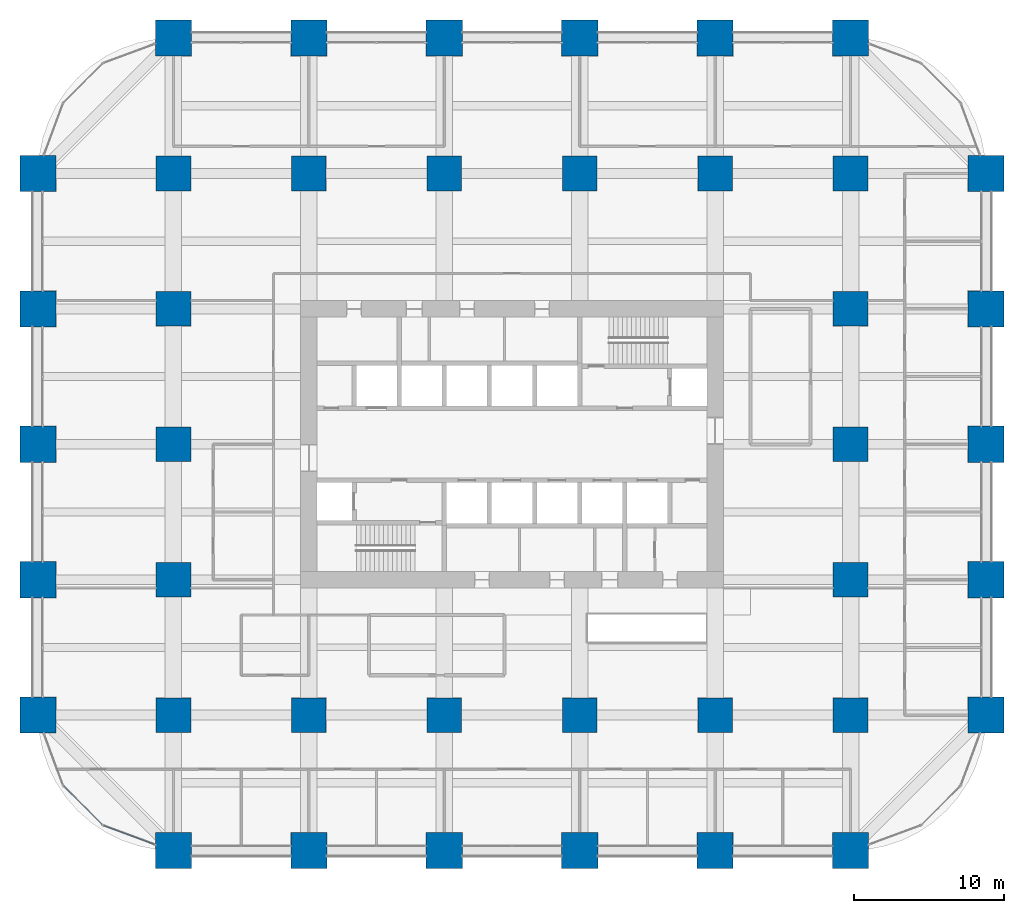
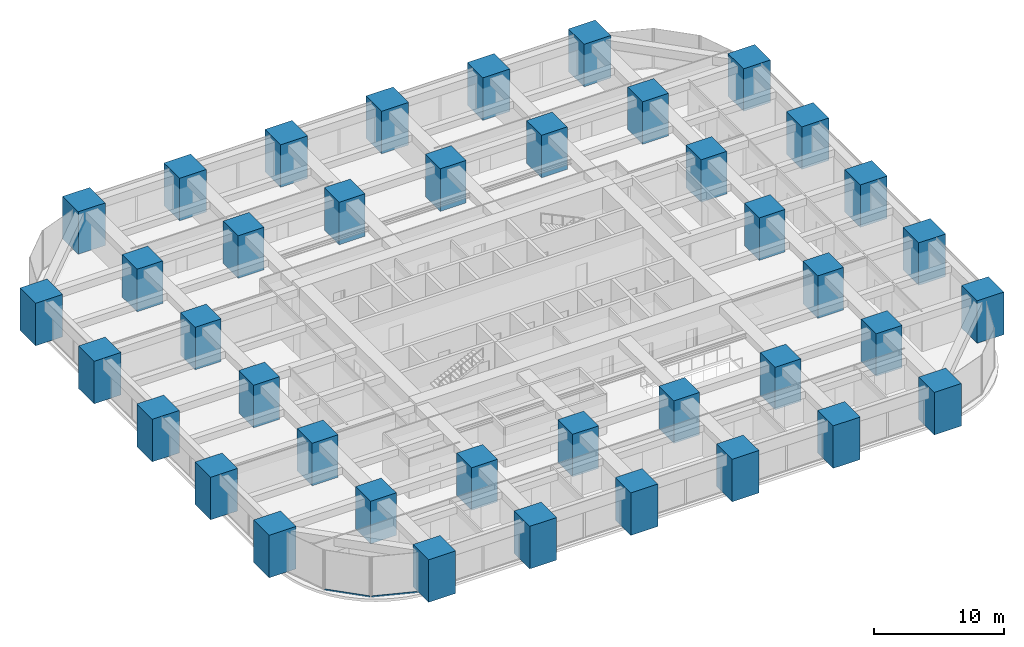
# One storey, part 1 of 45: 40 columns, 2 members, 2 elements without a shape of their own.
"""IFC4 building model written with IfcOpenShell, lengths in metres."""

from ifc_helpers import new_model, si_unit, direction, frame, origin, origin_2d, place, context, subcontext, project, spatial, rectangle, hollow_rectangle, extrude, material, material_profile, profile_set, type_object, element, aggregate, save


model = new_model("IFC4")

# Units and contexts
model_context = context("Model", 3, precision=1e-05, world=origin(), true_north=direction((0.0, 1.0)))
body_context = subcontext(model_context, "Body", "Model", "MODEL_VIEW")
ifc_project = project(units=[si_unit("LENGTHUNIT", "METRE"), si_unit("AREAUNIT", "SQUARE_METRE"), si_unit("VOLUMEUNIT", "CUBIC_METRE"), si_unit("PLANEANGLEUNIT", "RADIAN"), si_unit("MASSUNIT", "GRAM", prefix="KILO")], contexts=[model_context])

# Site, building, storey
site_placement = place(None, origin())
site = spatial("IfcSite", under=ifc_project, at=site_placement, CompositionType="ELEMENT")
building_placement = place(site_placement, origin())
building = spatial("IfcBuilding", under=site, at=building_placement, Name="Zorevar Civic Tower", CompositionType="ELEMENT")
storey_placement = place(building_placement, frame((0.0, 0.0, 27.800048828125)))
storey = spatial("IfcBuildingStorey", under=building, at=storey_placement, Name="L06", CompositionType="ELEMENT", Elevation=27.800048828125)

# Columns
ifc_material_1 = material(Name="Concrete C50/60", Category="concrete")
ifc_material_profile_1 = material_profile(ifc_material_1, rectangle(XDim=2.300048828125, YDim=2.300048828125, at=origin_2d()), Name="RC 2300x2300")
ifc_profile_set_1 = profile_set([ifc_material_profile_1], Name="Concrete C50/60")
column_type_1 = type_object("IfcColumnType", Name="Column RC 2300x2300", PredefinedType="COLUMN", material=ifc_profile_set_1)
for number, where, z_axis, x_axis, name in (
    (1, (9.0, 9.0, 0.0), (0.0, 0.0, 1.0), (1.0, 0.0, 0.0), "Column 3B L06"),
    (2, (9.0, 18.0, 0.0), (0.0, 0.0, 1.0), (1.0, 0.0, 0.0), "Column 3C L06"),
    (3, (9.0, 27.0, 0.0), (0.0, 0.0, 1.0), (1.0, 0.0, 0.0), "Column 3D L06"),
    (4, (9.0, 36.0, 0.0), (0.0, 0.0, 1.0), (1.0, 0.0, 0.0), "Column 3E L06"),
    (5, (9.0, 45.0, 0.0), (0.0, 0.0, 1.0), (1.0, 0.0, 0.0), "Column 3F L06"),
    (6, (18.0, 9.0, 0.0), (0.0, 0.0, 1.0), (1.0, 0.0, 0.0), "Column 4B L06"),
    (7, (18.0, 45.0, 0.0), (0.0, 0.0, 1.0), (1.0, 0.0, 0.0), "Column 4F L06"),
    (8, (27.0, 9.0, 0.0), (0.0, 0.0, 1.0), (1.0, 0.0, 0.0), "Column 5B L06"),
    (9, (27.0, 45.0, 0.0), (0.0, 0.0, 1.0), (1.0, 0.0, 0.0), "Column 5F L06"),
    (10, (36.0, 9.0, 0.0), (0.0, 0.0, 1.0), (1.0, 0.0, 0.0), "Column 6B L06"),
    (11, (36.0, 45.0, 0.0), (0.0, 0.0, 1.0), (1.0, 0.0, 0.0), "Column 6F L06"),
    (12, (45.0, 9.0, 0.0), (0.0, 0.0, 1.0), (1.0, 0.0, 0.0), "Column 7B L06"),
    (13, (45.0, 45.0, 0.0), (0.0, 0.0, 1.0), (1.0, 0.0, 0.0), "Column 7F L06"),
    (14, (54.0, 9.0, 0.0), (0.0, 0.0, 1.0), (1.0, 0.0, 0.0), "Column 8B L06"),
    (15, (54.0, 18.0, 0.0), (0.0, 0.0, 1.0), (1.0, 0.0, 0.0), "Column 8C L06"),
    (16, (54.0, 27.0, 0.0), (0.0, 0.0, 1.0), (1.0, 0.0, 0.0), "Column 8D L06"),
    (17, (54.0, 36.0, 0.0), (0.0, 0.0, 1.0), (1.0, 0.0, 0.0), "Column 8E L06"),
    (18, (54.0, 45.0, 0.0), (0.0, 0.0, 1.0), (1.0, 0.0, 0.0), "Column 8F L06"),
):
    element("IfcColumn", number, at=place(storey_placement, frame(where, z_axis=z_axis, x_axis=x_axis)), inside=storey, type_object=column_type_1, Name=name, PredefinedType="COLUMN", context=body_context, shape_type="SweptSolid", body=[
        extrude(rectangle(XDim=2.300048828125, YDim=2.300048828125, at=origin_2d()), origin(), (0.0, 0.0, 1.0), 4.0),
    ])
ifc_material_2 = material(Name="Concrete C50/60", Category="concrete")
ifc_material_profile_2 = material_profile(ifc_material_2, rectangle(XDim=2.39990234375, YDim=2.39990234375, at=origin_2d()), Name="RC 2400x2400")
ifc_profile_set_2 = profile_set([ifc_material_profile_2], Name="Concrete C50/60")
column_type_2 = type_object("IfcColumnType", Name="Column RC 2400x2400", PredefinedType="COLUMN", material=ifc_profile_set_2)
for number, where, z_axis, x_axis, name in (
    (19, (0.0, 9.0, 0.0), (0.0, 0.0, 1.0), (1.0, 0.0, 0.0), "Column 2B L06"),
    (20, (0.0, 18.0, 0.0), (0.0, 0.0, 1.0), (1.0, 0.0, 0.0), "Column 2C L06"),
    (21, (0.0, 27.0, 0.0), (0.0, 0.0, 1.0), (1.0, 0.0, 0.0), "Column 2D L06"),
    (22, (0.0, 36.0, 0.0), (0.0, 0.0, 1.0), (1.0, 0.0, 0.0), "Column 2E L06"),
    (23, (0.0, 45.0, 0.0), (0.0, 0.0, 1.0), (1.0, 0.0, 0.0), "Column 2F L06"),
    (24, (9.0, 0.0, 0.0), (0.0, 0.0, 1.0), (1.0, 0.0, 0.0), "Column 3A L06"),
    (25, (9.0, 54.0, 0.0), (0.0, 0.0, 1.0), (1.0, 0.0, 0.0), "Column 3G L06"),
    (26, (18.0, 0.0, 0.0), (0.0, 0.0, 1.0), (1.0, 0.0, 0.0), "Column 4A L06"),
    (27, (18.0, 54.0, 0.0), (0.0, 0.0, 1.0), (1.0, 0.0, 0.0), "Column 4G L06"),
    (28, (27.0, 0.0, 0.0), (0.0, 0.0, 1.0), (1.0, 0.0, 0.0), "Column 5A L06"),
    (29, (27.0, 54.0, 0.0), (0.0, 0.0, 1.0), (1.0, 0.0, 0.0), "Column 5G L06"),
    (30, (36.0, 0.0, 0.0), (0.0, 0.0, 1.0), (1.0, 0.0, 0.0), "Column 6A L06"),
    (31, (36.0, 54.0, 0.0), (0.0, 0.0, 1.0), (1.0, 0.0, 0.0), "Column 6G L06"),
    (32, (45.0, 0.0, 0.0), (0.0, 0.0, 1.0), (1.0, 0.0, 0.0), "Column 7A L06"),
    (33, (45.0, 54.0, 0.0), (0.0, 0.0, 1.0), (1.0, 0.0, 0.0), "Column 7G L06"),
    (34, (54.0, 0.0, 0.0), (0.0, 0.0, 1.0), (1.0, 0.0, 0.0), "Column 8A L06"),
    (35, (54.0, 54.0, 0.0), (0.0, 0.0, 1.0), (1.0, 0.0, 0.0), "Column 8G L06"),
    (36, (63.0, 9.0, 0.0), (0.0, 0.0, 1.0), (1.0, 0.0, 0.0), "Column 9B L06"),
    (37, (63.0, 18.0, 0.0), (0.0, 0.0, 1.0), (1.0, 0.0, 0.0), "Column 9C L06"),
    (38, (63.0, 27.0, 0.0), (0.0, 0.0, 1.0), (1.0, 0.0, 0.0), "Column 9D L06"),
    (39, (63.0, 36.0, 0.0), (0.0, 0.0, 1.0), (1.0, 0.0, 0.0), "Column 9E L06"),
    (40, (63.0, 45.0, 0.0), (0.0, 0.0, 1.0), (1.0, 0.0, 0.0), "Column 9F L06"),
):
    element("IfcColumn", number, at=place(storey_placement, frame(where, z_axis=z_axis, x_axis=x_axis)), inside=storey, type_object=column_type_2, Name=name, PredefinedType="COLUMN", context=body_context, shape_type="SweptSolid", body=[
        extrude(rectangle(XDim=2.39990234375, YDim=2.39990234375, at=origin_2d()), origin(), (0.0, 0.0, 1.0), 4.0),
    ])

# Curtain wall, member
ifc_material_3 = material(Name="Dark grey solar-control glass in black aluminium frame", Category="aluminium")
curtain_wall_type = type_object("IfcCurtainWallType", Name="Curtain wall CW2 low zone", PredefinedType="NOTDEFINED", material=ifc_material_3)
curtain_wall_1_placement = place(storey_placement, origin())
curtain_wall_1 = element("IfcCurtainWall", 41, at=curtain_wall_1_placement, inside=storey, type_object=curtain_wall_type, Name="CW2 L06", PredefinedType="NOTDEFINED")
ifc_material_4 = material(Name="Aluminium, black anodised", Category="aluminium")
ifc_material_profile_3 = material_profile(ifc_material_4, hollow_rectangle(XDim=0.06005859375, YDim=0.14990234375, WallThickness=0.00390625, at=origin_2d()), Name="AL 150x60x4")
ifc_profile_set_3 = profile_set([ifc_material_profile_3], Name="Aluminium, black anodised")
member_type = type_object("IfcMemberType", Name="CW2 transom AL 150x60x4", PredefinedType="USERDEFINED", material=ifc_profile_set_3)
member_1_placement = place(storey_placement, frame((1.716552734375, 4.264892578125, 0.030029296875), z_axis=(0.707106781187, -0.707106781187, 0.0), x_axis=(0.707106781187, 0.707106781187, 0.0)))
member_1 = element("IfcMember", 42, at=member_1_placement, type_object=member_type, Name="CW2 sill transom", ObjectType="TRANSOM", PredefinedType="USERDEFINED", context=body_context, shape_type="SweptSolid", body=[
    extrude(hollow_rectangle(XDim=0.06005859375, YDim=0.14990234375, WallThickness=0.00390625, at=origin_2d()), origin(), (0.0, 0.0, 1.0), 3.60400390625),
])
aggregate(curtain_wall_1, [member_1])

curtain_wall_2_placement = place(storey_placement, origin())
curtain_wall_2 = element("IfcCurtainWall", 43, at=curtain_wall_2_placement, inside=storey, type_object=curtain_wall_type, Name="CW2 L06", PredefinedType="NOTDEFINED")
member_2_placement = place(storey_placement, frame((4.363525390625, 1.6533203125, 0.030029296875), z_axis=(0.93798635741, -0.346672169799, 0.0), x_axis=(0.346672169799, 0.93798635741, 0.0)))
member_2 = element("IfcMember", 44, at=member_2_placement, type_object=member_type, Name="CW2 sill transom", ObjectType="TRANSOM", PredefinedType="USERDEFINED", context=body_context, shape_type="SweptSolid", body=[
    extrude(hollow_rectangle(XDim=0.06005859375, YDim=0.14990234375, WallThickness=0.00390625, at=origin_2d()), origin(), (0.0, 0.0, 1.0), 3.603515625),
])
aggregate(curtain_wall_2, [member_2])

save(model, "model.ifc")
